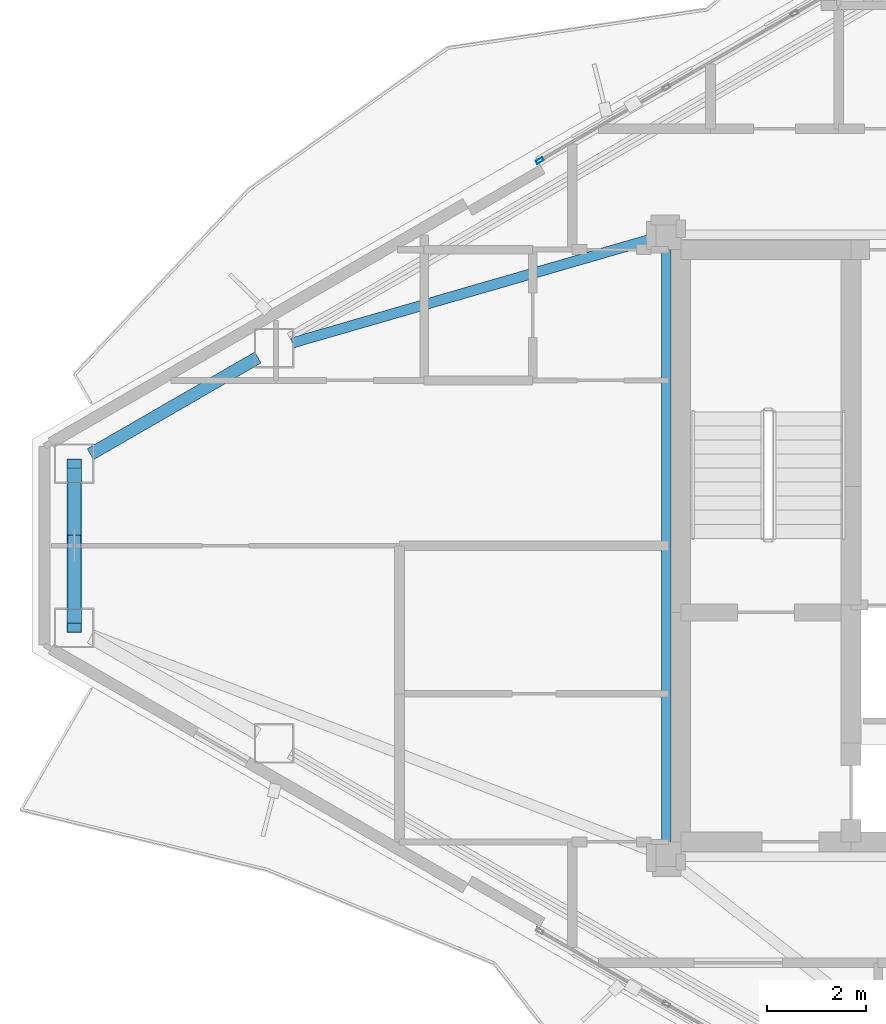
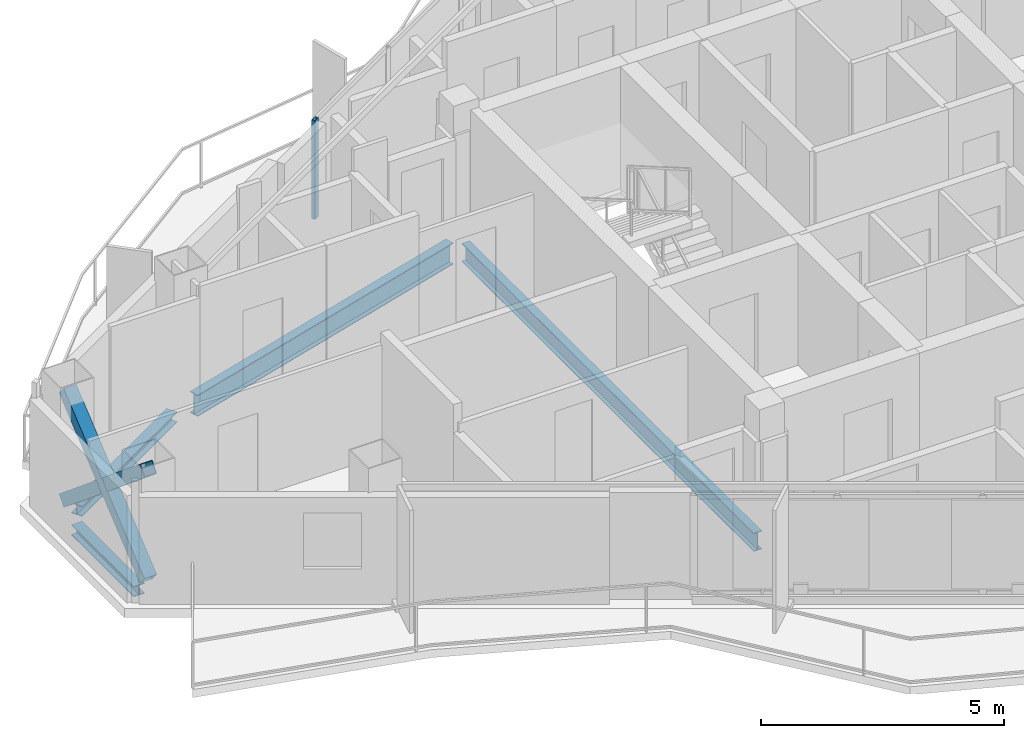
# One storey, part 7 of 22: 4 beams, 4 members, 1 element without a shape of its own.
"""IFC4 building model written with IfcOpenShell, lengths in metres."""

from ifc_helpers import new_model, si_unit, direction, frame, origin, origin_2d, place, context, subcontext, project, spatial, hollow_rectangle, i_section, extrude, material, layer, layer_set, material_profile, profile_set, type_object, element, aggregate, save


model = new_model("IFC4")

# Units and contexts
model_context = context("Model", 3, precision=1e-05, world=origin(), true_north=direction((0.0, 1.0)))
body_context = subcontext(model_context, "Body", "Model", "MODEL_VIEW")
ifc_project = project(units=[si_unit("LENGTHUNIT", "METRE"), si_unit("AREAUNIT", "SQUARE_METRE"), si_unit("VOLUMEUNIT", "CUBIC_METRE"), si_unit("PLANEANGLEUNIT", "RADIAN"), si_unit("MASSUNIT", "GRAM", prefix="KILO")], contexts=[model_context])

# Site, building, storey
site_placement = place(None, origin())
site = spatial("IfcSite", under=ifc_project, at=site_placement, CompositionType="ELEMENT")
building_placement = place(site_placement, origin())
building = spatial("IfcBuilding", under=site, at=building_placement, Name="Mersakhor Tower and Convention Hall", CompositionType="ELEMENT")
storey_placement = place(building_placement, frame((0.0, 0.0, 195.300048828125)))
storey = spatial("IfcBuildingStorey", under=building, at=storey_placement, Name="L54", CompositionType="ELEMENT", Elevation=195.300048828125)

# Beams
ifc_material_1 = material(Name="Steel S355", Category="steel")
ifc_material_profile_1 = material_profile(ifc_material_1, i_section(OverallWidth=0.19140625, OverallDepth=0.4599609375, WebThickness=0.010009765625, FlangeThickness=0.01611328125, at=origin_2d()), Name="UB 457x191x82")
ifc_profile_set_1 = profile_set([ifc_material_profile_1], Name="Steel S355")
beam_type_1 = type_object("IfcBeamType", Name="BM-FB-457", PredefinedType="BEAM", material=ifc_profile_set_1)
beam_1_placement = place(storey_placement, frame((21.89990234375, 20.72998046875, -0.4599609375), z_axis=(0.0, 1.0, 0.0), x_axis=(-1.0, 0.0, 0.0)))
element("IfcBeam", 1, at=beam_1_placement, inside=storey, type_object=beam_type_1, Name="L54 Core Ring Tie Beam CRB-1", PredefinedType="BEAM", context=body_context, shape_type="SweptSolid", body=[
    extrude(i_section(OverallWidth=0.19140625, OverallDepth=0.4599609375, WebThickness=0.010009765625, FlangeThickness=0.01611328125, at=origin_2d()), origin(), (0.0, 0.0, 1.0), 12.0400390625),
])
ifc_material_2 = material(Name="Steel S355", Category="steel")
ifc_material_profile_2 = material_profile(ifc_material_2, i_section(OverallWidth=0.2099609375, OverallDepth=0.53662109375, WebThickness=0.0107421875, FlangeThickness=0.017333984375, at=origin_2d()), Name="UB 533x210x101")
ifc_profile_set_2 = profile_set([ifc_material_profile_2], Name="Steel S355")
beam_type_2 = type_object("IfcBeamType", Name="BM-FB-533", PredefinedType="BEAM", material=ifc_profile_set_2)
beam_2_placement = place(storey_placement, frame((21.631103515625, 32.97216796875, -0.49853515625), z_axis=(-0.960673848118, -0.277679234987, 0.0), x_axis=(0.277679234987, -0.960673848118, 0.0)))
element("IfcBeam", 2, at=beam_2_placement, inside=storey, type_object=beam_type_2, Name="L54 Primary Floor Girder FG-1", PredefinedType="BEAM", context=body_context, shape_type="SweptSolid", body=[
    extrude(i_section(OverallWidth=0.2099609375, OverallDepth=0.53662109375, WebThickness=0.0107421875, FlangeThickness=0.017333984375, at=origin_2d()), origin(), (0.0, 0.0, 1.0), 7.605224609375),
])
ifc_material_3 = material(Name="Steel S355", Category="steel")
ifc_material_profile_3 = material_profile(ifc_material_3, i_section(OverallWidth=0.25634765625, OverallDepth=0.26025390625, WebThickness=0.01025390625, FlangeThickness=0.017333984375, at=origin_2d()), Name="UC 254x254x89")
ifc_profile_set_3 = profile_set([ifc_material_profile_3], Name="Steel S355")
beam_type_3 = type_object("IfcBeamType", Name="BM-SPD-UC254", PredefinedType="SPANDREL", material=ifc_profile_set_3)
beam_3_placement = place(storey_placement, frame((10.236572265625, 28.605224609375, -0.360107421875), z_axis=(0.866007153761, 0.500031608635, 0.0), x_axis=(-0.500031608635, 0.866007153761, 0.0)))
element("IfcBeam", 3, at=beam_3_placement, inside=storey, type_object=beam_type_3, Name="L54 Perimeter Spandrel Beam SPB-01", PredefinedType="SPANDREL", context=body_context, shape_type="SweptSolid", body=[
    extrude(i_section(OverallWidth=0.25634765625, OverallDepth=0.26025390625, WebThickness=0.01025390625, FlangeThickness=0.017333984375, at=origin_2d()), origin(), (0.0, 0.0, 1.0), 3.919189453125),
])
beam_4_placement = place(storey_placement, frame((9.907470703125, 25.464599609375, -0.360107421875), z_axis=(0.0, 1.0, 0.0), x_axis=(-1.0, 0.0, 0.0)))
element("IfcBeam", 4, at=beam_4_placement, inside=storey, type_object=beam_type_3, Name="L54 Perimeter Spandrel Beam SPB-12", PredefinedType="SPANDREL", context=body_context, shape_type="SweptSolid", body=[
    extrude(i_section(OverallWidth=0.25634765625, OverallDepth=0.26025390625, WebThickness=0.01025390625, FlangeThickness=0.017333984375, at=origin_2d()), origin(), (0.0, 0.0, 1.0), 2.57080078125),
])

# Curtain wall, member
ifc_material_4 = material(Name="Dark solar low-E aluminium curtain wall", Category="aluminium")
ifc_layer = layer(ifc_material_4, 0.169921875)
ifc_layer_set = layer_set([ifc_layer], Name="Dark solar low-E aluminium curtain wall")
curtain_wall_type = type_object("IfcCurtainWallType", Name="CW-SYS-02", PredefinedType="USERDEFINED", material=ifc_layer_set)
curtain_wall_placement = place(storey_placement, origin())
curtain_wall = element("IfcCurtainWall", 5, at=curtain_wall_placement, inside=storey, type_object=curtain_wall_type, Name="L54 Dark-Glass Curtain Wall F1-B2", ObjectType="CURTAIN WALL", PredefinedType="USERDEFINED")
ifc_material_5 = material(Name="Anodised aluminium EN AW-6063 T6", Category="aluminium")
ifc_material_profile_4 = material_profile(ifc_material_5, hollow_rectangle(XDim=0.074951171875, YDim=0.14990234375, WallThickness=0.00634765625, at=origin_2d()), Name="RHS 150x75x6.3")
ifc_profile_set_4 = profile_set([ifc_material_profile_4], Name="Anodised aluminium EN AW-6063 T6")
member_type_1 = type_object("IfcMemberType", Name="CWM-150x75", PredefinedType="MULLION", material=ifc_profile_set_4)
member_1_placement = place(storey_placement, frame((19.341796875, 34.554931640625, 0.199951171875), z_axis=(0.0, 0.0, 1.0), x_axis=(-0.500007824483, 0.86602088627, 0.0)))
member_1 = element("IfcMember", 6, at=member_1_placement, type_object=member_type_1, Name="CW-02 mullion 1", PredefinedType="MULLION", context=body_context, shape_type="SweptSolid", body=[
    extrude(hollow_rectangle(XDim=0.074951171875, YDim=0.14990234375, WallThickness=0.00634765625, at=origin_2d()), origin(), (0.0, 0.0, 1.0), 2.489990234375),
])
aggregate(curtain_wall, [member_1])

# Members
ifc_material_6 = material(Name="Steel S355", Category="steel")
ifc_material_profile_5 = material_profile(ifc_material_6, hollow_rectangle(XDim=0.300048828125, YDim=0.300048828125, WallThickness=0.01611328125, at=origin_2d()), Name="SHS 300x300x16")
ifc_profile_set_5 = profile_set([ifc_material_profile_5], Name="Steel S355")
member_type_2 = type_object("IfcMemberType", Name="MB-BRC-SHS300", PredefinedType="BRACE", material=ifc_profile_set_5)
member_2_placement = place(storey_placement, frame((9.907470703125, 25.084716796875, 0.14990234375), z_axis=(0.0, 0.768839937868, 0.639441279508), x_axis=(-1.0, 0.0, 0.0)))
element("IfcMember", 7, at=member_2_placement, inside=storey, type_object=member_type_2, Name="L54 Chamfer Braced Frame Diagonal CB-3A", PredefinedType="BRACE", context=body_context, shape_type="SweptSolid", body=[
    extrude(hollow_rectangle(XDim=0.300048828125, YDim=0.300048828125, WallThickness=0.01611328125, at=origin_2d()), origin(), (0.0, 0.0, 1.0), 4.33203125),
])
member_3_placement = place(storey_placement, frame((9.907470703125, 28.415283203125, 0.14990234375), z_axis=(0.0, -0.768839543052, 0.63944175422), x_axis=(1.0, 0.0, 0.0)))
element("IfcMember", 8, at=member_3_placement, inside=storey, type_object=member_type_2, Name="L54 Chamfer Braced Frame Diagonal CB-3B Lower Half", PredefinedType="BRACE", context=body_context, shape_type="SweptSolid", body=[
    extrude(hollow_rectangle(XDim=0.300048828125, YDim=0.300048828125, WallThickness=0.01611328125, at=origin_2d()), origin(), (0.0, 0.0, 1.0), 2.005615234375),
])
member_4_placement = place(storey_placement, frame((9.907470703125, 26.626708984375, 1.6376953125), z_axis=(0.0, -0.768899389676, 0.639369790149), x_axis=(1.0, 0.0, 0.0)))
element("IfcMember", 9, at=member_4_placement, inside=storey, type_object=member_type_2, Name="L54 Chamfer Braced Frame Diagonal CB-3B Upper Half", PredefinedType="BRACE", context=body_context, shape_type="SweptSolid", body=[
    extrude(hollow_rectangle(XDim=0.300048828125, YDim=0.300048828125, WallThickness=0.01611328125, at=origin_2d()), origin(), (0.0, 0.0, 1.0), 2.00537109375),
])

save(model, "model.ifc")
